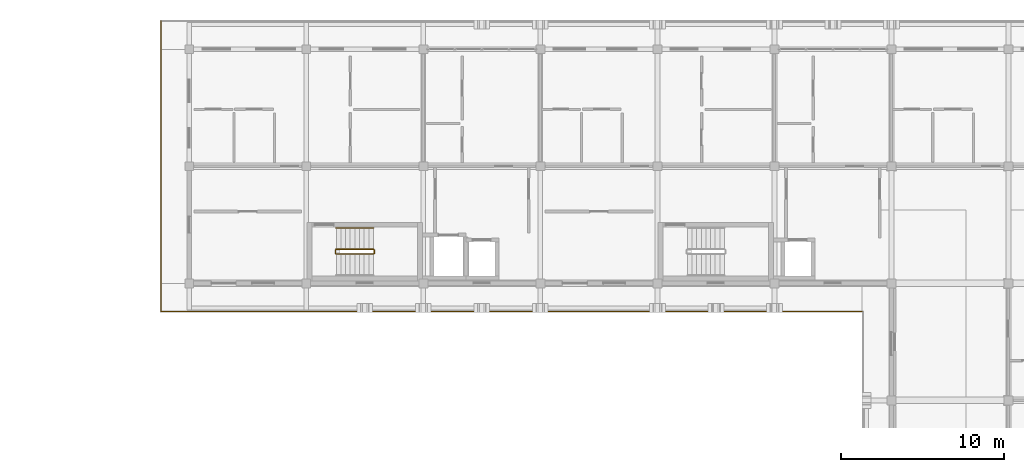
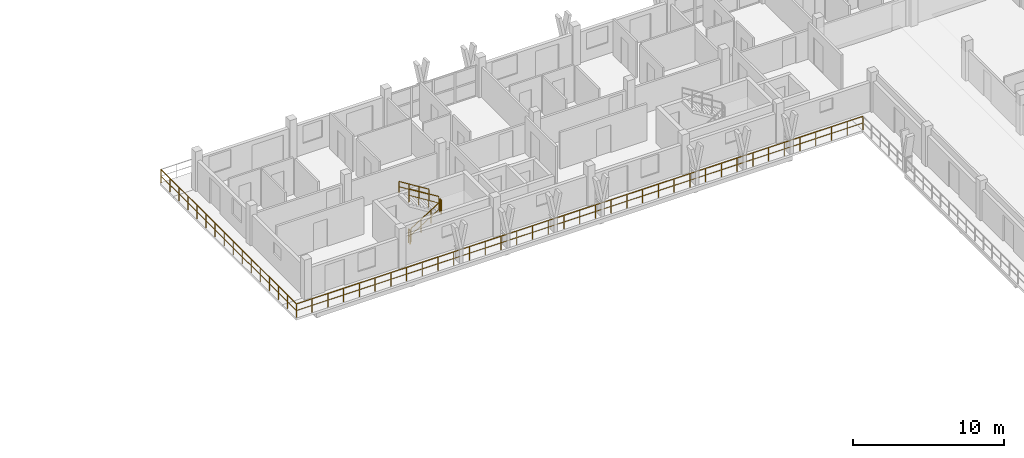
# One storey, part 63 of 65: 7 railings.
"""IFC4 building model written with IfcOpenShell, lengths in metres."""

import ifcopenshell
import ifcopenshell.guid

model = None  # the IFC model being written
_history = None  # IfcOwnerHistory: only IFC2X3 demands one
_inside = {}  # id of a spatial element -> (the spatial element, [elements in it])
_under = {}  # id of a project, library or spatial element -> (it, [spatial elements below it])
_declared = {}  # id of a project -> (the project, [libraries it declares])
_typed = {}  # id of a type object -> (the type object, [elements of that type])
_made_of = {}  # id of a material, layer set ... -> (it, [elements and type objects made of it])


def new_model(schema):
    """Start an empty IFC model of exactly this schema.

    Asked for "IFC4X3", IfcOpenShell would pick the latest addendum, in which some entities
    have other attributes; the version numbers below select the first issue.
    IFC2X3 requires an IfcOwnerHistory on every rooted entity: one is made here for all.
    """
    global model, _history
    if schema == "IFC4X3":
        model = ifcopenshell.file(schema_version=(4, 3, 0, 0))
    else:
        model = ifcopenshell.file(schema=schema)
    _inside.clear()
    _under.clear()
    _declared.clear()
    _typed.clear()
    _made_of.clear()
    _history = None
    if model.schema == "IFC2X3":
        org = make("IfcOrganization", Name="unknown")
        user = make(
            "IfcPersonAndOrganization",
            ThePerson=make("IfcPerson", FamilyName="unknown"),
            TheOrganization=org,
        )
        app = make(
            "IfcApplication",
            ApplicationDeveloper=org,
            Version="unknown",
            ApplicationFullName="unknown",
            ApplicationIdentifier="unknown",
        )
        _history = make(
            "IfcOwnerHistory",
            OwningUser=user,
            OwningApplication=app,
            ChangeAction="ADDED",
            CreationDate=0,
        )
    return model


def make(cls, **values):
    """One entity of the class cls with the attributes given. An attribute that is None is left unset."""
    return model.create_entity(
        cls, **{name: value for name, value in values.items() if value is not None}
    )


def rooted(cls, **values):
    """An entity with a GlobalId (a new one), such as an element, a storey or a relation."""
    return make(cls, GlobalId=ifcopenshell.guid.new(), OwnerHistory=_history, **values)


def si_unit(unit_type, name, prefix=None):
    """IfcSIUnit, for example si_unit("LENGTHUNIT", "METRE", prefix="MILLI")."""
    return make("IfcSIUnit", UnitType=unit_type, Prefix=prefix, Name=name)


def assignment(units):
    """IfcUnitAssignment: the units of a project."""
    return None if units is None else make("IfcUnitAssignment", Units=units)


def point(xyz):
    """IfcCartesianPoint."""
    return None if xyz is None else make("IfcCartesianPoint", Coordinates=xyz)


def direction(xyz):
    """IfcDirection."""
    return None if xyz is None else make("IfcDirection", DirectionRatios=xyz)


def frame(location, z_axis=None, x_axis=None):
    """IfcAxis2Placement3D, a coordinate frame: its origin and axes. An axis left out is left unset."""
    return make(
        "IfcAxis2Placement3D",
        Location=point(location),
        Axis=direction(z_axis),
        RefDirection=direction(x_axis),
    )


def frame_2d(location, x_axis=None):
    """IfcAxis2Placement2D, a coordinate frame in the plane: its origin and x axis."""
    return make(
        "IfcAxis2Placement2D", Location=point(location), RefDirection=direction(x_axis)
    )


def origin():
    """The frame at (0, 0, 0) with its axes left unset."""
    return frame((0.0, 0.0, 0.0))


def origin_2d():
    """The frame at (0, 0) in the plane with its x axis left unset."""
    return frame_2d((0.0, 0.0))


def place(relative_to, where):
    """IfcLocalPlacement: puts the frame where relative to a parent placement (None: the world)."""
    return make(
        "IfcLocalPlacement", PlacementRelTo=relative_to, RelativePlacement=where
    )


def context(
    kind, dimensions, precision=None, world=None, true_north=None, identifier=None
):
    """IfcGeometricRepresentationContext, for example the 3D "Model" context."""
    return make(
        "IfcGeometricRepresentationContext",
        ContextIdentifier=identifier,
        ContextType=kind,
        CoordinateSpaceDimension=dimensions,
        Precision=precision,
        WorldCoordinateSystem=world,
        TrueNorth=true_north,
    )


def subcontext(parent, identifier, kind, view, scale=None):
    """IfcGeometricRepresentationSubContext, for example "Body" below "Model"."""
    return make(
        "IfcGeometricRepresentationSubContext",
        ContextIdentifier=identifier,
        ContextType=kind,
        ParentContext=parent,
        TargetScale=scale,
        TargetView=view,
    )


def project(units=None, contexts=None):
    """IfcProject with its units and contexts."""
    return rooted(
        "IfcProject",
        Name="project",
        RepresentationContexts=contexts,
        UnitsInContext=assignment(units),
    )


def spatial(cls, under=None, at=None, **own):
    """A site, building, storey or space (cls), placed at a placement, below another one or the project."""
    s = rooted(cls, ObjectPlacement=at, **own)
    if under is not None:
        _under.setdefault(under.id(), (under, []))[1].append(s)
    return s


def profile(cls, at=None, kind="AREA", **sizes):
    """A parametric profile (cls). Its sizes go by their IFC names, for example OverallWidth=200.0."""
    return make(cls, ProfileType=kind, Position=at, **sizes)


def rectangle(**sizes):
    """IfcRectangleProfileDef."""
    return profile("IfcRectangleProfileDef", **sizes)


def extrude(swept, where, along, depth):
    """IfcExtrudedAreaSolid: the profile swept, set in the frame where, extruded along a direction by depth."""
    return make(
        "IfcExtrudedAreaSolid",
        SweptArea=swept,
        Position=where,
        ExtrudedDirection=direction(along),
        Depth=depth,
    )


def shape(context_of_items, identifier, shape_type, items):
    """IfcShapeRepresentation: the items that make up one representation, for example the "Body"."""
    return make(
        "IfcShapeRepresentation",
        ContextOfItems=context_of_items,
        RepresentationIdentifier=identifier,
        RepresentationType=shape_type,
        Items=items,
    )


def material(Name=None, Category=None):
    """IfcMaterial."""
    return make("IfcMaterial", Name=Name, Category=Category)


def made_of(thing, what):
    """Note that an element or type object is made of a material, layer set ...; save() writes the relation."""
    if what is not None:
        _made_of.setdefault(what.id(), (what, []))[1].append(thing)
    return thing


def type_object(cls, material=None, **own):
    """A type object (cls), such as IfcWallType, which elements share."""
    return made_of(rooted(cls, **own), material)


def element(
    cls,
    number,
    at=None,
    inside=None,
    cuts=None,
    type_object=None,
    material=None,
    context=None,
    identifier="Body",
    shape_type=None,
    held_by="IfcProductDefinitionShape",
    body=None,
    shapes=None,
    **own,
):
    """One element of the class cls, such as IfcWall. Its Tag is "e" and its number.

    at: its placement. inside: the storey or other place that contains it. cuts: it is an
    opening in that element (IfcRelVoidsElement). A single representation is given by context,
    identifier, shape_type and body (its items); several are given by shapes. held_by: the class
    of the entity that holds the representations. save() writes the other relations.
    """
    e = rooted(cls, Tag="e%d" % number, ObjectPlacement=at, **own)
    if body is not None:
        shapes = [shape(context, identifier, shape_type, body)]
    if shapes is not None:
        e.Representation = make(held_by, Representations=shapes)
    if inside is not None:
        _inside.setdefault(inside.id(), (inside, []))[1].append(e)
    if cuts is not None:
        rooted(
            "IfcRelVoidsElement", RelatingBuildingElement=cuts, RelatedOpeningElement=e
        )
    if type_object is not None:
        _typed.setdefault(type_object.id(), (type_object, []))[1].append(e)
    return made_of(e, material)


def aggregate(whole, parts):
    """IfcRelAggregates: a whole, such as a stair, and the parts it consists of."""
    return rooted("IfcRelAggregates", RelatingObject=whole, RelatedObjects=parts)


def save(model, path):
    """Write the relations noted so far, then the file.

    IfcRelAggregates (storeys below a building ...), IfcRelContainedInSpatialStructure (elements
    in a storey), IfcRelDefinesByType, IfcRelAssociatesMaterial and IfcRelDeclares: one each for
    every whole, place, type object, material and project.
    """
    for whole, parts in _under.values():
        aggregate(whole, parts)
    for where, things in _inside.values():
        rooted(
            "IfcRelContainedInSpatialStructure",
            RelatedElements=things,
            RelatingStructure=where,
        )
    for kind, things in _typed.values():
        rooted("IfcRelDefinesByType", RelatedObjects=things, RelatingType=kind)
    for what, things in _made_of.values():
        rooted("IfcRelAssociatesMaterial", RelatedObjects=things, RelatingMaterial=what)
    for by, libraries in _declared.values():
        rooted("IfcRelDeclares", RelatingContext=by, RelatedDefinitions=libraries)
    model.write(path)


model = new_model("IFC4")

# Units and contexts
model_context = context("Model", 3, precision=1e-05, world=origin(), true_north=direction((0.0, 1.0)))
body_context = subcontext(model_context, "Body", "Model", "MODEL_VIEW")
ifc_project = project(units=[si_unit("LENGTHUNIT", "METRE"), si_unit("AREAUNIT", "SQUARE_METRE"), si_unit("VOLUMEUNIT", "CUBIC_METRE"), si_unit("PLANEANGLEUNIT", "RADIAN"), si_unit("MASSUNIT", "GRAM", prefix="KILO")], contexts=[model_context])

# Site, building, storey
site_placement = place(None, origin())
site = spatial("IfcSite", under=ifc_project, at=site_placement, CompositionType="ELEMENT")
building_placement = place(site_placement, origin())
building = spatial("IfcBuilding", under=site, at=building_placement, Name="Suanplinth Sawtooth Commons", CompositionType="ELEMENT")
storey_placement = place(building_placement, frame((0.0, 0.0, 28.300048828125)))
storey = spatial("IfcBuildingStorey", under=building, at=storey_placement, Name="L08", CompositionType="ELEMENT", Elevation=28.300048828125)

# Railings
ifc_material_1 = material(Name="Powder-coated galvanized steel", Category="steel")
railing_type_1 = type_object("IfcRailingType", Name="GR-01", PredefinedType="BALUSTRADE", material=ifc_material_1)
railing_1_placement = place(storey_placement, frame((171.06005859375, 106.260009765625, 0.0)))
element("IfcRailing", 1, at=railing_1_placement, inside=storey, type_object=railing_type_1, Name="L08 Block B Perimeter Balustrade 2", PredefinedType="BALUSTRADE", context=body_context, shape_type="SweptSolid", body=[
    extrude(rectangle(XDim=0.048095703125, YDim=0.048095703125, at=origin_2d()), frame((0.0, 0.0, 1.09619140625), z_axis=(-1.0, 0.0, 0.0), x_axis=(0.0, -1.0, 0.0)), (0.0, 0.0, 1.0), 43.199951171875),
    extrude(rectangle(XDim=0.03369140625, YDim=0.03369140625, at=origin_2d()), frame((0.0, 0.0, 0.56005859375), z_axis=(-1.0, 0.0, 0.0), x_axis=(0.0, -1.0, 0.0)), (0.0, 0.0, 1.0), 43.199951171875),
    extrude(rectangle(XDim=0.0419921875, YDim=0.0419921875, at=origin_2d()), origin(), (0.0, 0.0, 1.0), 1.072021484375),
    extrude(rectangle(XDim=0.0419921875, YDim=0.0419921875, at=origin_2d()), frame((-1.199951171875, 0.0, 0.0)), (0.0, 0.0, 1.0), 1.072021484375),
    extrude(rectangle(XDim=0.0419921875, YDim=0.0419921875, at=origin_2d()), frame((-2.39990234375, 0.0, 0.0)), (0.0, 0.0, 1.0), 1.072021484375),
    extrude(rectangle(XDim=0.0419921875, YDim=0.0419921875, at=origin_2d()), frame((-3.60009765625, 0.0, 0.0)), (0.0, 0.0, 1.0), 1.072021484375),
    extrude(rectangle(XDim=0.0419921875, YDim=0.0419921875, at=origin_2d()), frame((-4.800048828125, 0.0, 0.0)), (0.0, 0.0, 1.0), 1.072021484375),
    extrude(rectangle(XDim=0.0419921875, YDim=0.0419921875, at=origin_2d()), frame((-6.0, 0.0, 0.0)), (0.0, 0.0, 1.0), 1.072021484375),
    extrude(rectangle(XDim=0.0419921875, YDim=0.0419921875, at=origin_2d()), frame((-7.199951171875, 0.0, 0.0)), (0.0, 0.0, 1.0), 1.072021484375),
    extrude(rectangle(XDim=0.0419921875, YDim=0.0419921875, at=origin_2d()), frame((-8.39990234375, 0.0, 0.0)), (0.0, 0.0, 1.0), 1.072021484375),
    extrude(rectangle(XDim=0.0419921875, YDim=0.0419921875, at=origin_2d()), frame((-9.60009765625, 0.0, 0.0)), (0.0, 0.0, 1.0), 1.072021484375),
    extrude(rectangle(XDim=0.0419921875, YDim=0.0419921875, at=origin_2d()), frame((-10.800048828125, 0.0, 0.0)), (0.0, 0.0, 1.0), 1.072021484375),
    extrude(rectangle(XDim=0.0419921875, YDim=0.0419921875, at=origin_2d()), frame((-12.0, 0.0, 0.0)), (0.0, 0.0, 1.0), 1.072021484375),
    extrude(rectangle(XDim=0.0419921875, YDim=0.0419921875, at=origin_2d()), frame((-13.199951171875, 0.0, 0.0)), (0.0, 0.0, 1.0), 1.072021484375),
    extrude(rectangle(XDim=0.0419921875, YDim=0.0419921875, at=origin_2d()), frame((-14.39990234375, 0.0, 0.0)), (0.0, 0.0, 1.0), 1.072021484375),
    extrude(rectangle(XDim=0.0419921875, YDim=0.0419921875, at=origin_2d()), frame((-15.60009765625, 0.0, 0.0)), (0.0, 0.0, 1.0), 1.072021484375),
    extrude(rectangle(XDim=0.0419921875, YDim=0.0419921875, at=origin_2d()), frame((-16.800048828125, 0.0, 0.0)), (0.0, 0.0, 1.0), 1.072021484375),
    extrude(rectangle(XDim=0.0419921875, YDim=0.0419921875, at=origin_2d()), frame((-18.0, 0.0, 0.0)), (0.0, 0.0, 1.0), 1.072021484375),
    extrude(rectangle(XDim=0.0419921875, YDim=0.0419921875, at=origin_2d()), frame((-19.199951171875, 0.0, 0.0)), (0.0, 0.0, 1.0), 1.072021484375),
    extrude(rectangle(XDim=0.0419921875, YDim=0.0419921875, at=origin_2d()), frame((-20.39990234375, 0.0, 0.0)), (0.0, 0.0, 1.0), 1.072021484375),
    extrude(rectangle(XDim=0.0419921875, YDim=0.0419921875, at=origin_2d()), frame((-21.60009765625, 0.0, 0.0)), (0.0, 0.0, 1.0), 1.072021484375),
    extrude(rectangle(XDim=0.0419921875, YDim=0.0419921875, at=origin_2d()), frame((-22.800048828125, 0.0, 0.0)), (0.0, 0.0, 1.0), 1.072021484375),
    extrude(rectangle(XDim=0.0419921875, YDim=0.0419921875, at=origin_2d()), frame((-24.0, 0.0, 0.0)), (0.0, 0.0, 1.0), 1.072021484375),
    extrude(rectangle(XDim=0.0419921875, YDim=0.0419921875, at=origin_2d()), frame((-25.199951171875, 0.0, 0.0)), (0.0, 0.0, 1.0), 1.072021484375),
    extrude(rectangle(XDim=0.0419921875, YDim=0.0419921875, at=origin_2d()), frame((-26.39990234375, 0.0, 0.0)), (0.0, 0.0, 1.0), 1.072021484375),
    extrude(rectangle(XDim=0.0419921875, YDim=0.0419921875, at=origin_2d()), frame((-27.599853515625, 0.0, 0.0)), (0.0, 0.0, 1.0), 1.072021484375),
    extrude(rectangle(XDim=0.0419921875, YDim=0.0419921875, at=origin_2d()), frame((-28.800048828125, 0.0, 0.0)), (0.0, 0.0, 1.0), 1.072021484375),
    extrude(rectangle(XDim=0.0419921875, YDim=0.0419921875, at=origin_2d()), frame((-30.0, 0.0, 0.0)), (0.0, 0.0, 1.0), 1.072021484375),
    extrude(rectangle(XDim=0.0419921875, YDim=0.0419921875, at=origin_2d()), frame((-31.199951171875, 0.0, 0.0)), (0.0, 0.0, 1.0), 1.072021484375),
    extrude(rectangle(XDim=0.0419921875, YDim=0.0419921875, at=origin_2d()), frame((-32.39990234375, 0.0, 0.0)), (0.0, 0.0, 1.0), 1.072021484375),
    extrude(rectangle(XDim=0.0419921875, YDim=0.0419921875, at=origin_2d()), frame((-33.599853515625, 0.0, 0.0)), (0.0, 0.0, 1.0), 1.072021484375),
    extrude(rectangle(XDim=0.0419921875, YDim=0.0419921875, at=origin_2d()), frame((-34.800048828125, 0.0, 0.0)), (0.0, 0.0, 1.0), 1.072021484375),
    extrude(rectangle(XDim=0.0419921875, YDim=0.0419921875, at=origin_2d()), frame((-36.0, 0.0, 0.0)), (0.0, 0.0, 1.0), 1.072021484375),
    extrude(rectangle(XDim=0.0419921875, YDim=0.0419921875, at=origin_2d()), frame((-37.199951171875, 0.0, 0.0)), (0.0, 0.0, 1.0), 1.072021484375),
    extrude(rectangle(XDim=0.0419921875, YDim=0.0419921875, at=origin_2d()), frame((-38.39990234375, 0.0, 0.0)), (0.0, 0.0, 1.0), 1.072021484375),
    extrude(rectangle(XDim=0.0419921875, YDim=0.0419921875, at=origin_2d()), frame((-39.599853515625, 0.0, 0.0)), (0.0, 0.0, 1.0), 1.072021484375),
    extrude(rectangle(XDim=0.0419921875, YDim=0.0419921875, at=origin_2d()), frame((-40.800048828125, 0.0, 0.0)), (0.0, 0.0, 1.0), 1.072021484375),
    extrude(rectangle(XDim=0.0419921875, YDim=0.0419921875, at=origin_2d()), frame((-42.0, 0.0, 0.0)), (0.0, 0.0, 1.0), 1.072021484375),
    extrude(rectangle(XDim=0.0419921875, YDim=0.0419921875, at=origin_2d()), frame((-43.199951171875, 0.0, 0.0)), (0.0, 0.0, 1.0), 1.072021484375),
])
railing_2_placement = place(storey_placement, frame((127.860107421875, 106.260009765625, 0.0)))
element("IfcRailing", 2, at=railing_2_placement, inside=storey, type_object=railing_type_1, Name="L08 Block B Perimeter Balustrade 3", PredefinedType="BALUSTRADE", context=body_context, shape_type="SweptSolid", body=[
    extrude(rectangle(XDim=0.048095703125, YDim=0.048095703125, at=origin_2d()), frame((0.0, 0.0, 1.09619140625), z_axis=(0.0, 1.0, 0.0), x_axis=(-1.0, 0.0, 0.0)), (0.0, 0.0, 1.0), 17.8798828125),
    extrude(rectangle(XDim=0.03369140625, YDim=0.03369140625, at=origin_2d()), frame((0.0, 0.0, 0.56005859375), z_axis=(0.0, 1.0, 0.0), x_axis=(-1.0, 0.0, 0.0)), (0.0, 0.0, 1.0), 17.8798828125),
    extrude(rectangle(XDim=0.0419921875, YDim=0.0419921875, at=origin_2d()), origin(), (0.0, 0.0, 1.0), 1.072021484375),
    extrude(rectangle(XDim=0.0419921875, YDim=0.0419921875, at=origin_2d()), frame((0.0, 1.19189453125, 0.0)), (0.0, 0.0, 1.0), 1.072021484375),
    extrude(rectangle(XDim=0.0419921875, YDim=0.0419921875, at=origin_2d()), frame((0.0, 2.384033203125, 0.0)), (0.0, 0.0, 1.0), 1.072021484375),
    extrude(rectangle(XDim=0.0419921875, YDim=0.0419921875, at=origin_2d()), frame((0.0, 3.575927734375, 0.0)), (0.0, 0.0, 1.0), 1.072021484375),
    extrude(rectangle(XDim=0.0419921875, YDim=0.0419921875, at=origin_2d()), frame((0.0, 4.76806640625, 0.0)), (0.0, 0.0, 1.0), 1.072021484375),
    extrude(rectangle(XDim=0.0419921875, YDim=0.0419921875, at=origin_2d()), frame((0.0, 5.9599609375, 0.0)), (0.0, 0.0, 1.0), 1.072021484375),
    extrude(rectangle(XDim=0.0419921875, YDim=0.0419921875, at=origin_2d()), frame((0.0, 7.15185546875, 0.0)), (0.0, 0.0, 1.0), 1.072021484375),
    extrude(rectangle(XDim=0.0419921875, YDim=0.0419921875, at=origin_2d()), frame((0.0, 8.343994140625, 0.0)), (0.0, 0.0, 1.0), 1.072021484375),
    extrude(rectangle(XDim=0.0419921875, YDim=0.0419921875, at=origin_2d()), frame((0.0, 9.535888671875, 0.0)), (0.0, 0.0, 1.0), 1.072021484375),
    extrude(rectangle(XDim=0.0419921875, YDim=0.0419921875, at=origin_2d()), frame((0.0, 10.72802734375, 0.0)), (0.0, 0.0, 1.0), 1.072021484375),
    extrude(rectangle(XDim=0.0419921875, YDim=0.0419921875, at=origin_2d()), frame((0.0, 11.919921875, 0.0)), (0.0, 0.0, 1.0), 1.072021484375),
    extrude(rectangle(XDim=0.0419921875, YDim=0.0419921875, at=origin_2d()), frame((0.0, 13.11181640625, 0.0)), (0.0, 0.0, 1.0), 1.072021484375),
    extrude(rectangle(XDim=0.0419921875, YDim=0.0419921875, at=origin_2d()), frame((0.0, 14.303955078125, 0.0)), (0.0, 0.0, 1.0), 1.072021484375),
    extrude(rectangle(XDim=0.0419921875, YDim=0.0419921875, at=origin_2d()), frame((0.0, 15.495849609375, 0.0)), (0.0, 0.0, 1.0), 1.072021484375),
    extrude(rectangle(XDim=0.0419921875, YDim=0.0419921875, at=origin_2d()), frame((0.0, 16.68798828125, 0.0)), (0.0, 0.0, 1.0), 1.072021484375),
    extrude(rectangle(XDim=0.0419921875, YDim=0.0419921875, at=origin_2d()), frame((0.0, 17.8798828125, 0.0)), (0.0, 0.0, 1.0), 1.072021484375),
])
ifc_material_2 = material(Name="Stainless steel Grade 304", Category="steel")
railing_type_2 = type_object("IfcRailingType", Name="GR-04", PredefinedType="GUARDRAIL", material=ifc_material_2)
railing_3_placement = place(storey_placement, frame((138.64990234375, 109.800048828125, 0.177734375)))
element("IfcRailing", 3, at=railing_3_placement, inside=storey, type_object=railing_type_2, Name="L08 ST-E1 Guard 1", PredefinedType="GUARDRAIL", context=body_context, shape_type="SweptSolid", body=[
    extrude(rectangle(XDim=0.048095703125, YDim=0.048095703125, at=origin_2d()), frame((0.0, 0.0, 1.076171875), z_axis=(0.848482842525, 0.0, 0.529222888715), x_axis=(0.0, 1.0, 0.0)), (0.0, 0.0, 1.0), 2.687255859375),
    extrude(rectangle(XDim=0.03369140625, YDim=0.03369140625, at=origin_2d()), frame((0.0, 0.0, 0.550048828125), z_axis=(0.848482842525, 0.0, 0.529222888715), x_axis=(0.0, 1.0, 0.0)), (0.0, 0.0, 1.0), 2.687255859375),
    extrude(rectangle(XDim=0.0419921875, YDim=0.0419921875, at=origin_2d()), origin(), (0.0, 0.0, 1.0), 1.052001953125),
    extrude(rectangle(XDim=0.0419921875, YDim=0.0419921875, at=origin_2d()), frame((0.760009765625, 0.0, 0.47412109375)), (0.0, 0.0, 1.0), 1.052001953125),
    extrude(rectangle(XDim=0.0419921875, YDim=0.0419921875, at=origin_2d()), frame((1.52001953125, 0.0, 0.947998046875)), (0.0, 0.0, 1.0), 1.052001953125),
    extrude(rectangle(XDim=0.0419921875, YDim=0.0419921875, at=origin_2d()), frame((2.280029296875, 0.0, 1.422119140625)), (0.0, 0.0, 1.0), 1.052001953125),
])
railing_4_placement = place(storey_placement, frame((140.97998046875, 109.85009765625, 1.599853515625)))
element("IfcRailing", 4, at=railing_4_placement, inside=storey, type_object=railing_type_2, Name="L08 ST-E1 Guard 2", PredefinedType="GUARDRAIL", context=body_context, shape_type="SweptSolid", body=[
    extrude(rectangle(XDim=0.048095703125, YDim=0.048095703125, at=origin_2d()), frame((0.0, 0.0, 1.076171875), z_axis=(0.0, 1.0, 0.0), x_axis=(-1.0, 0.0, 0.0)), (0.0, 0.0, 1.0), 0.199951171875),
    extrude(rectangle(XDim=0.03369140625, YDim=0.03369140625, at=origin_2d()), frame((0.0, 0.0, 0.550048828125), z_axis=(0.0, 1.0, 0.0), x_axis=(-1.0, 0.0, 0.0)), (0.0, 0.0, 1.0), 0.199951171875),
    extrude(rectangle(XDim=0.0419921875, YDim=0.0419921875, at=origin_2d()), origin(), (0.0, 0.0, 1.0), 1.052001953125),
    extrude(rectangle(XDim=0.0419921875, YDim=0.0419921875, at=origin_2d()), frame((0.0, 0.199951171875, 0.0)), (0.0, 0.0, 1.0), 1.052001953125),
])
railing_5_placement = place(storey_placement, frame((140.929931640625, 110.10009765625, 1.77783203125)))
element("IfcRailing", 5, at=railing_5_placement, inside=storey, type_object=railing_type_2, Name="L08 ST-E1 Guard 3", PredefinedType="GUARDRAIL", context=body_context, shape_type="SweptSolid", body=[
    extrude(rectangle(XDim=0.048095703125, YDim=0.048095703125, at=origin_2d()), frame((0.0, 0.0, 1.076171875), z_axis=(-0.848482842525, 0.0, 0.529222888715), x_axis=(0.0, -1.0, 0.0)), (0.0, 0.0, 1.0), 2.687255859375),
    extrude(rectangle(XDim=0.03369140625, YDim=0.03369140625, at=origin_2d()), frame((0.0, 0.0, 0.550048828125), z_axis=(-0.848482842525, 0.0, 0.529222888715), x_axis=(0.0, -1.0, 0.0)), (0.0, 0.0, 1.0), 2.687255859375),
    extrude(rectangle(XDim=0.0419921875, YDim=0.0419921875, at=origin_2d()), origin(), (0.0, 0.0, 1.0), 1.052001953125),
    extrude(rectangle(XDim=0.0419921875, YDim=0.0419921875, at=origin_2d()), frame((-0.760009765625, 0.0, 0.47412109375)), (0.0, 0.0, 1.0), 1.052001953125),
    extrude(rectangle(XDim=0.0419921875, YDim=0.0419921875, at=origin_2d()), frame((-1.52001953125, 0.0, 0.947998046875)), (0.0, 0.0, 1.0), 1.052001953125),
    extrude(rectangle(XDim=0.0419921875, YDim=0.0419921875, at=origin_2d()), frame((-2.280029296875, 0.0, 1.422119140625)), (0.0, 0.0, 1.0), 1.052001953125),
])
railing_6_placement = place(storey_placement, frame((138.60009765625, 109.85009765625, 0.0)))
element("IfcRailing", 6, at=railing_6_placement, inside=storey, type_object=railing_type_2, Name="L08 ST-E1 Guard 4", PredefinedType="GUARDRAIL", context=body_context, shape_type="SweptSolid", body=[
    extrude(rectangle(XDim=0.048095703125, YDim=0.048095703125, at=origin_2d()), frame((0.0, 0.0, 1.076171875), z_axis=(0.0, 1.0, 0.0), x_axis=(-1.0, 0.0, 0.0)), (0.0, 0.0, 1.0), 0.199951171875),
    extrude(rectangle(XDim=0.03369140625, YDim=0.03369140625, at=origin_2d()), frame((0.0, 0.0, 0.550048828125), z_axis=(0.0, 1.0, 0.0), x_axis=(-1.0, 0.0, 0.0)), (0.0, 0.0, 1.0), 0.199951171875),
    extrude(rectangle(XDim=0.0419921875, YDim=0.0419921875, at=origin_2d()), origin(), (0.0, 0.0, 1.0), 1.052001953125),
    extrude(rectangle(XDim=0.0419921875, YDim=0.0419921875, at=origin_2d()), frame((0.0, 0.199951171875, 0.0)), (0.0, 0.0, 1.0), 1.052001953125),
])
railing_type_3 = type_object("IfcRailingType", Name="HR-01", PredefinedType="HANDRAIL", material=ifc_material_2)
railing_7_placement = place(storey_placement, frame((140.929931640625, 111.39990234375, 1.77783203125)))
element("IfcRailing", 7, at=railing_7_placement, inside=storey, type_object=railing_type_3, Name="L08 ST-E1 Handrail 2", PredefinedType="HANDRAIL", context=body_context, shape_type="SweptSolid", body=[
    extrude(rectangle(XDim=0.048095703125, YDim=0.048095703125, at=origin_2d()), frame((0.0, 0.0, 0.8759765625), z_axis=(-0.848482842525, 0.0, 0.529222888715), x_axis=(0.0, -1.0, 0.0)), (0.0, 0.0, 1.0), 2.687255859375),
    extrude(rectangle(XDim=0.03369140625, YDim=0.03369140625, at=origin_2d()), frame((0.0, 0.0, 0.449951171875), z_axis=(-0.848482842525, 0.0, 0.529222888715), x_axis=(0.0, -1.0, 0.0)), (0.0, 0.0, 1.0), 2.687255859375),
    extrude(rectangle(XDim=0.0419921875, YDim=0.0419921875, at=origin_2d()), origin(), (0.0, 0.0, 1.0), 0.851806640625),
    extrude(rectangle(XDim=0.0419921875, YDim=0.0419921875, at=origin_2d()), frame((-0.760009765625, 0.0, 0.47412109375)), (0.0, 0.0, 1.0), 0.851806640625),
    extrude(rectangle(XDim=0.0419921875, YDim=0.0419921875, at=origin_2d()), frame((-1.52001953125, 0.0, 0.947998046875)), (0.0, 0.0, 1.0), 0.851806640625),
    extrude(rectangle(XDim=0.0419921875, YDim=0.0419921875, at=origin_2d()), frame((-2.280029296875, 0.0, 1.422119140625)), (0.0, 0.0, 1.0), 0.851806640625),
])

save(model, "model.ifc")
